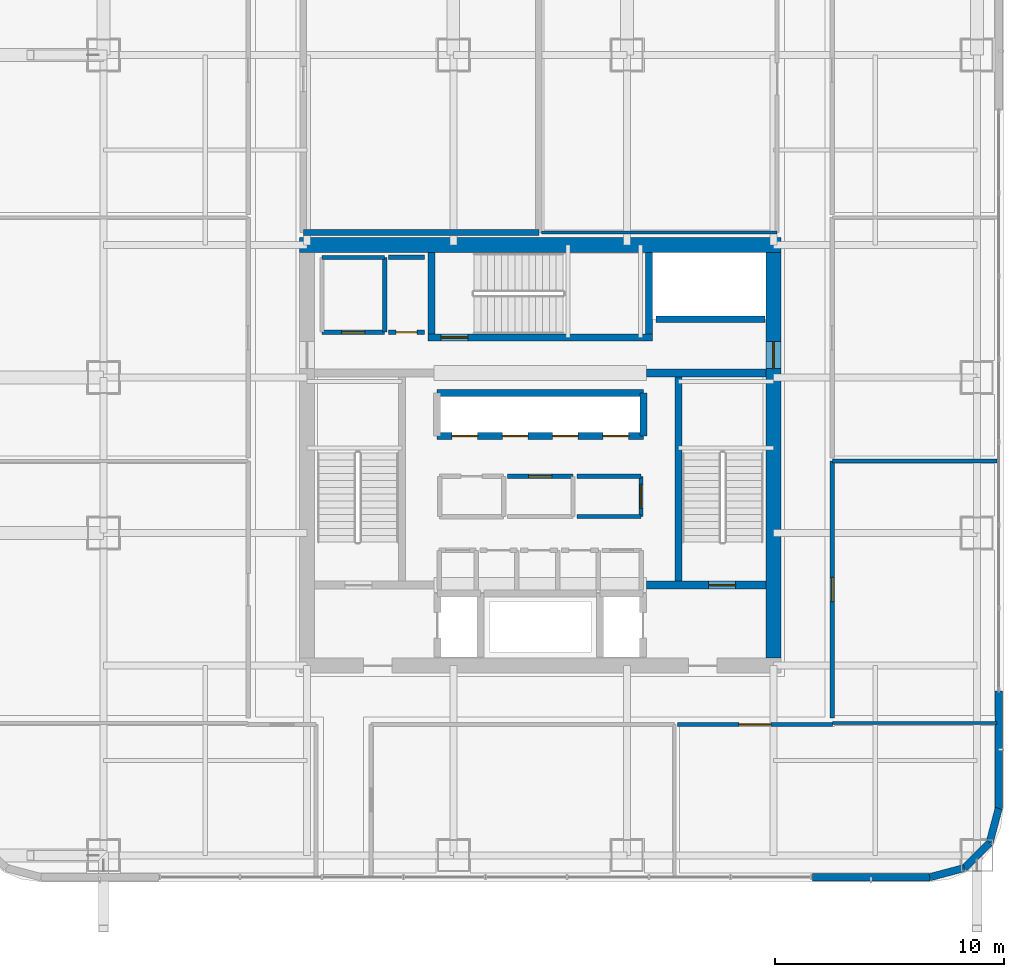
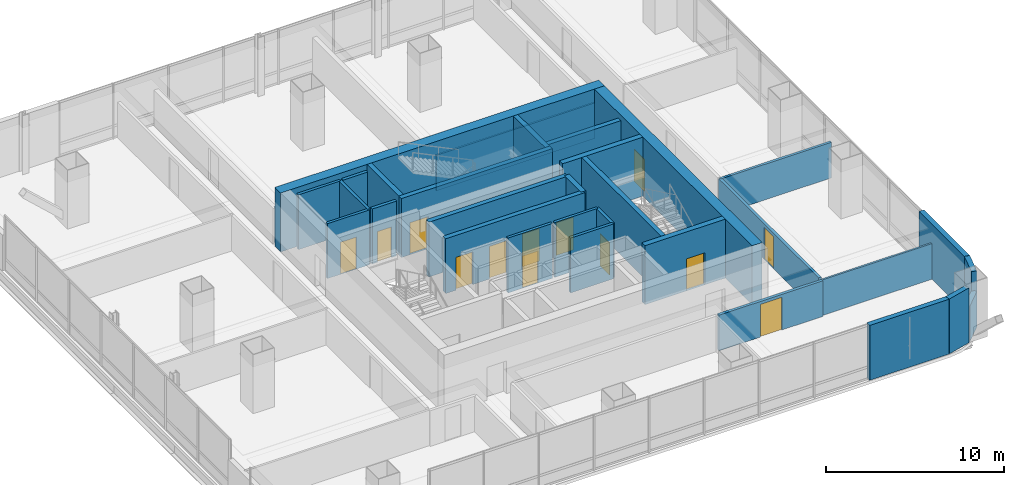
# One storey, part 34 of 47: 32 walls, 13 doors, 13 openings.
"""IFC4 building model written with IfcOpenShell, lengths in metres."""

from ifc_helpers import new_model, si_unit, direction, frame, frame_2d, origin, place, context, subcontext, project, spatial, rectangle, extrude, material, layer, layer_set, type_object, element, fill, save


model = new_model("IFC4")

# Units and contexts
model_context = context("Model", 3, precision=1e-05, world=origin(), true_north=direction((0.0, 1.0)))
body_context = subcontext(model_context, "Body", "Model", "MODEL_VIEW")
ifc_project = project(units=[si_unit("LENGTHUNIT", "METRE"), si_unit("AREAUNIT", "SQUARE_METRE"), si_unit("VOLUMEUNIT", "CUBIC_METRE"), si_unit("PLANEANGLEUNIT", "RADIAN"), si_unit("MASSUNIT", "GRAM", prefix="KILO")], contexts=[model_context])

# Site, building, storey
site_placement = place(None, origin())
site = spatial("IfcSite", under=ifc_project, at=site_placement, CompositionType="ELEMENT")
building_placement = place(site_placement, origin())
building = spatial("IfcBuilding", under=site, at=building_placement, Name="Punatoya Terracotta Tower", CompositionType="ELEMENT")
storey_placement = place(building_placement, frame((0.0, 0.0, 168.14990234375)))
storey = spatial("IfcBuildingStorey", under=building, at=storey_placement, Name="L39", CompositionType="ELEMENT", Elevation=168.14990234375)

# Walls
ifc_material_1 = material(Name="Concrete C40/50", Category="concrete")
ifc_layer_1 = layer(ifc_material_1, 0.280029296875)
ifc_layer_set_1 = layer_set([ifc_layer_1], Name="Concrete C40/50")
wall_type_1 = type_object("IfcWallType", Name="WL-AUD-280", PredefinedType="SOLIDWALL", material=ifc_layer_set_1)
wall_1_placement = place(storey_placement, frame((-0.06005859375, 9.739990234375, 0.0), z_axis=(0.0, 0.0, 1.0), x_axis=(-1.0, 0.0, 0.0)))
element("IfcWall", 1, at=wall_1_placement, inside=storey, type_object=wall_type_1, Name="L39 Open-Plan Fitness Movement Lounge Partition 45", PredefinedType="SOLIDWALL", context=body_context, shape_type="SweptSolid", body=[
    extrude(rectangle(XDim=10.300048828125, YDim=0.280029296875, at=frame_2d((5.14990234375, 0.0))), origin(), (0.0, 0.0, 1.0), 2.444091796875),
])
ifc_material_2 = material(Name="Concrete C60/75", Category="concrete")
ifc_layer_2 = layer(ifc_material_2, 0.64990234375)
ifc_layer_set_2 = layer_set([ifc_layer_2], Name="Concrete C60/75")
wall_type_2 = type_object("IfcWallType", Name="WL-COR-650", PredefinedType="SHEAR", material=ifc_layer_set_2)
wall_2_placement = place(storey_placement, frame((-10.52490234375, 9.199951171875, 0.0), z_axis=(0.0, 0.0, 1.0), x_axis=(1.0, 0.0, 0.0)))
element("IfcWall", 2, at=wall_2_placement, inside=storey, type_object=wall_type_2, Name="L39 Core Shear Wall N", PredefinedType="SHEAR", context=body_context, shape_type="SweptSolid", body=[
    extrude(rectangle(XDim=21.0498046875, YDim=0.64990234375, at=frame_2d((10.52490234375, 0.0))), origin(), (0.0, 0.0, 1.0), 4.050048828125),
])

# Wall, opening, door
wall_3_placement = place(storey_placement, frame((10.199951171875, 8.875, 0.0), z_axis=(0.0, 0.0, 1.0), x_axis=(0.0, -1.0, 0.0)))
wall_3 = element("IfcWall", 3, at=wall_3_placement, inside=storey, type_object=wall_type_2, Name="L39 Core Shear Wall E", PredefinedType="SHEAR", context=body_context, shape_type="SweptSolid", body=[
    extrude(rectangle(XDim=17.75, YDim=0.64990234375, at=frame_2d((8.875, 0.0))), origin(), (0.0, 0.0, 1.0), 4.050048828125),
])
opening_1_placement = place(wall_3_placement, frame((3.905029296875, 0.0, 0.0)))
opening_1 = element("IfcOpeningElement", 4, at=opening_1_placement, cuts=wall_3, Name="Opening SD-01", PredefinedType="OPENING", context=body_context, shape_type="SweptSolid", body=[
    extrude(rectangle(XDim=1.179931640625, YDim=2.199951171875, at=frame_2d((0.58984375, 1.10009765625))), frame((0.0, 0.3349609375, 0.0), z_axis=(0.0, -1.0, 0.0), x_axis=(1.0, 0.0, 0.0)), (0.0, 0.0, 1.0), 0.669921875),
])
ifc_material_3 = material(Name="Galvanised Steel Pressurized Stair Fire Door", Category="steel")
door_type_1 = type_object("IfcDoorType", Name="DR-STR-1180", OperationType="NOTDEFINED", PredefinedType="DOOR", material=ifc_material_3)
door_1_placement = place(opening_1_placement, origin())
door_1 = element("IfcDoor", 5, at=door_1_placement, inside=storey, type_object=door_type_1, Name="L39 Central Lift Lobby East Fire Door", OperationType="SINGLE_SWING_RIGHT", OverallHeight=2.199951171875, OverallWidth=1.179931640625, PredefinedType="DOOR", context=body_context, shape_type="SweptSolid", body=[
    extrude(rectangle(XDim=1.179931640625, YDim=2.199951171875, at=frame_2d((0.58984375, 1.10009765625))), frame((0.0, 0.02490234375, 0.0), z_axis=(0.0, -1.0, 0.0), x_axis=(1.0, 0.0, 0.0)), (0.0, 0.0, 1.0), 0.050048828125),
])
fill(opening_1, door_1)

ifc_material_4 = material(Name="Gypsum Fireboard + Steel Stud", Category="steel")
ifc_layer_3 = layer(ifc_material_4, 0.179931640625)
ifc_layer_set_3 = layer_set([ifc_layer_3], Name="Gypsum Fireboard + Steel Stud")
wall_type_3 = type_object("IfcWallType", Name="WL-CORR-180", PredefinedType="PARTITIONING", material=ifc_layer_set_3)
wall_4_placement = place(storey_placement, frame((1.43994140625, -0.919921875, 0.0), z_axis=(0.0, 0.0, 1.0), x_axis=(-1.0, 0.0, 0.0)))
wall_4 = element("IfcWall", 6, at=wall_4_placement, inside=storey, type_object=wall_type_3, Name="L39 Center Core Briefing Pod Partition 17", PredefinedType="PARTITIONING", context=body_context, shape_type="SweptSolid", body=[
    extrude(rectangle(XDim=2.8798828125, YDim=0.179931640625, at=frame_2d((1.43994140625, 0.0))), origin(), (0.0, 0.0, 1.0), 3.77001953125),
])
opening_2_placement = place(wall_4_placement, frame((0.929931640625, 0.0, 0.0)))
opening_2 = element("IfcOpeningElement", 7, at=opening_2_placement, cuts=wall_4, Name="Opening MD-01", PredefinedType="OPENING", context=body_context, shape_type="SweptSolid", body=[
    extrude(rectangle(XDim=1.02001953125, YDim=2.199951171875, at=frame_2d((0.510009765625, 1.10009765625))), frame((0.0, 0.099853515625, 0.0), z_axis=(0.0, -1.0, 0.0), x_axis=(1.0, 0.0, 0.0)), (0.0, 0.0, 1.0), 0.199951171875),
])
ifc_material_5 = material(Name="Aluminium + Acoustic Glass Leaf", Category="aluminium")
door_type_2 = type_object("IfcDoorType", Name="DR-MTG-1020", OperationType="NOTDEFINED", PredefinedType="DOOR", material=ifc_material_5)
door_2_placement = place(opening_2_placement, origin())
door_2 = element("IfcDoor", 8, at=door_2_placement, inside=storey, type_object=door_type_2, Name="L39 Center Briefing Pod Door", OperationType="SINGLE_SWING_RIGHT", OverallHeight=2.199951171875, OverallWidth=1.02001953125, PredefinedType="DOOR", context=body_context, shape_type="SweptSolid", body=[
    extrude(rectangle(XDim=1.02001953125, YDim=2.199951171875, at=frame_2d((0.510009765625, 1.10009765625))), frame((0.0, 0.02490234375, 0.0), z_axis=(0.0, -1.0, 0.0), x_axis=(1.0, 0.0, 0.0)), (0.0, 0.0, 1.0), 0.050048828125),
])
fill(opening_2, door_2)

wall_5_placement = place(storey_placement, frame((4.39990234375, -2.679931640625, 0.0), z_axis=(0.0, 0.0, 1.0), x_axis=(0.0, 1.0, 0.0)))
wall_5 = element("IfcWall", 9, at=wall_5_placement, inside=storey, type_object=wall_type_3, Name="L39 Right Core Copy Room Partition 19", PredefinedType="PARTITIONING", context=body_context, shape_type="SweptSolid", body=[
    extrude(rectangle(XDim=1.760009765625, YDim=0.179931640625, at=frame_2d((0.8798828125, 0.0))), origin(), (0.0, 0.0, 1.0), 3.77001953125),
])
opening_3_placement = place(wall_5_placement, frame((0.35498046875, 0.0, 0.0)))
opening_3 = element("IfcOpeningElement", 10, at=opening_3_placement, cuts=wall_5, Name="Opening OD-01", PredefinedType="OPENING", context=body_context, shape_type="SweptSolid", body=[
    extrude(rectangle(XDim=1.050048828125, YDim=2.199951171875, at=frame_2d((0.52490234375, 1.10009765625))), frame((0.0, 0.099853515625, 0.0), z_axis=(0.0, -1.0, 0.0), x_axis=(1.0, 0.0, 0.0)), (0.0, 0.0, 1.0), 0.199951171875),
])
ifc_material_6 = material(Name="Bengal Teak Solid-Core Leaf")
door_type_3 = type_object("IfcDoorType", Name="DR-OFF-1050", OperationType="NOTDEFINED", PredefinedType="DOOR", material=ifc_material_6)
door_3_placement = place(opening_3_placement, origin())
door_3 = element("IfcDoor", 11, at=door_3_placement, inside=storey, type_object=door_type_3, Name="L39 Right Copy Room Door", OperationType="SINGLE_SWING_LEFT", OverallHeight=2.199951171875, OverallWidth=1.050048828125, PredefinedType="DOOR", context=body_context, shape_type="SweptSolid", body=[
    extrude(rectangle(XDim=1.050048828125, YDim=2.199951171875, at=frame_2d((0.52490234375, 1.10009765625))), frame((0.0, 0.02490234375, 0.0), z_axis=(0.0, -1.0, 0.0), x_axis=(1.0, 0.0, 0.0)), (0.0, 0.0, 1.0), 0.050048828125),
])
fill(opening_3, door_3)

# Walls
for number, where, z_axis, x_axis, name in (
    (12, (4.39990234375, -0.919921875, 0.0), (0.0, 0.0, 1.0), (-1.0, 0.0, 0.0), "L39 Right Core Copy Room Partition 20"),
    (13, (1.60009765625, -2.679931640625, 0.0), (0.0, 0.0, 1.0), (1.0, 0.0, 0.0), "L39 Right Core Copy Room Partition 21"),
):
    element("IfcWall", number, at=place(storey_placement, frame(where, z_axis=z_axis, x_axis=x_axis)), inside=storey, type_object=wall_type_3, Name=name, PredefinedType="PARTITIONING", context=body_context, shape_type="SweptSolid", body=[
        extrude(rectangle(XDim=2.7998046875, YDim=0.179931640625, at=frame_2d((1.39990234375, 0.0))), origin(), (0.0, 0.0, 1.0), 3.77001953125),
    ])
wall_6_placement = place(storey_placement, frame((-6.800048828125, 5.3798828125, 0.0), z_axis=(0.0, 0.0, 1.0), x_axis=(0.0, 1.0, 0.0)))
element("IfcWall", 14, at=wall_6_placement, inside=storey, type_object=wall_type_3, Name="L39 West Core Briefing Pod Partition 22", PredefinedType="PARTITIONING", context=body_context, shape_type="SweptSolid", body=[
    extrude(rectangle(XDim=3.27001953125, YDim=0.179931640625, at=frame_2d((1.635009765625, 0.0))), origin(), (0.0, 0.0, 1.0), 3.77001953125),
])
wall_7_placement = place(storey_placement, frame((-6.800048828125, 8.64990234375, 0.0), z_axis=(0.0, 0.0, 1.0), x_axis=(-1.0, 0.0, 0.0)))
element("IfcWall", 15, at=wall_7_placement, inside=storey, type_object=wall_type_3, Name="L39 West Core Briefing Pod Partition 23", PredefinedType="PARTITIONING", context=body_context, shape_type="SweptSolid", body=[
    extrude(rectangle(XDim=2.75, YDim=0.179931640625, at=frame_2d((1.375, 0.0))), origin(), (0.0, 0.0, 1.0), 3.77001953125),
])

# Wall, opening, door
wall_8_placement = place(storey_placement, frame((-9.550048828125, 5.3798828125, 0.0), z_axis=(0.0, 0.0, 1.0), x_axis=(1.0, 0.0, 0.0)))
wall_8 = element("IfcWall", 16, at=wall_8_placement, inside=storey, type_object=wall_type_3, Name="L39 West Core Briefing Pod Partition 25", PredefinedType="PARTITIONING", context=body_context, shape_type="SweptSolid", body=[
    extrude(rectangle(XDim=2.75, YDim=0.179931640625, at=frame_2d((1.375, 0.0))), origin(), (0.0, 0.0, 1.0), 3.77001953125),
])
opening_4_placement = place(wall_8_placement, frame((0.864990234375, 0.0, 0.0)))
opening_4 = element("IfcOpeningElement", 17, at=opening_4_placement, cuts=wall_8, Name="Opening MD-01", PredefinedType="OPENING", context=body_context, shape_type="SweptSolid", body=[
    extrude(rectangle(XDim=1.02001953125, YDim=2.199951171875, at=frame_2d((0.510009765625, 1.10009765625))), frame((0.0, 0.099853515625, 0.0), z_axis=(0.0, -1.0, 0.0), x_axis=(1.0, 0.0, 0.0)), (0.0, 0.0, 1.0), 0.199951171875),
])
door_4_placement = place(opening_4_placement, origin())
door_4 = element("IfcDoor", 18, at=door_4_placement, inside=storey, type_object=door_type_2, Name="L39 West Briefing Pod Door", OperationType="SINGLE_SWING_RIGHT", OverallHeight=2.199951171875, OverallWidth=1.02001953125, PredefinedType="DOOR", context=body_context, shape_type="SweptSolid", body=[
    extrude(rectangle(XDim=1.02001953125, YDim=2.199951171875, at=frame_2d((0.510009765625, 1.10009765625))), frame((0.0, 0.02490234375, 0.0), z_axis=(0.0, -1.0, 0.0), x_axis=(1.0, 0.0, 0.0)), (0.0, 0.0, 1.0), 0.050048828125),
])
fill(opening_4, door_4)

wall_9_placement = place(storey_placement, frame((5.993896484375, -11.77001953125, 0.0), z_axis=(0.0, 0.0, 1.0), x_axis=(1.0, 0.0, 0.0)))
wall_9 = element("IfcWall", 19, at=wall_9_placement, inside=storey, type_object=wall_type_3, Name="L39 Open-Plan Cultural History Classroom Partition 34", PredefinedType="PARTITIONING", context=body_context, shape_type="SweptSolid", body=[
    extrude(rectangle(XDim=6.776123046875, YDim=0.179931640625, at=frame_2d((3.38818359375, 0.0))), origin(), (0.0, 0.0, 1.0), 2.444091796875),
])
opening_5_placement = place(wall_9_placement, frame((2.68798828125, 0.0, 0.0)))
opening_5 = element("IfcOpeningElement", 20, at=opening_5_placement, cuts=wall_9, Name="Opening BD-01", PredefinedType="OPENING", context=body_context, shape_type="SweptSolid", body=[
    extrude(rectangle(XDim=1.39990234375, YDim=2.25, at=frame_2d((0.699951171875, 1.125))), frame((0.0, 0.099853515625, 0.0), z_axis=(0.0, -1.0, 0.0), x_axis=(1.0, 0.0, 0.0)), (0.0, 0.0, 1.0), 0.199951171875),
])
ifc_material_7 = material(Name="Bengal Teak Acoustic Leaf")
door_type_4 = type_object("IfcDoorType", Name="DR-BRD-1400", OperationType="NOTDEFINED", PredefinedType="DOOR", material=ifc_material_7)
door_5_placement = place(opening_5_placement, origin())
door_5 = element("IfcDoor", 21, at=door_5_placement, inside=storey, type_object=door_type_4, Name="L39 Open-Plan Cultural History Classroom Door", OperationType="SINGLE_SWING_RIGHT", OverallHeight=2.25, OverallWidth=1.39990234375, PredefinedType="DOOR", context=body_context, shape_type="SweptSolid", body=[
    extrude(rectangle(XDim=1.39990234375, YDim=2.25, at=frame_2d((0.699951171875, 1.125))), frame((0.0, 0.02490234375, 0.0), z_axis=(0.0, -1.0, 0.0), x_axis=(1.0, 0.0, 0.0)), (0.0, 0.0, 1.0), 0.050048828125),
])
fill(opening_5, door_5)

wall_10_placement = place(storey_placement, frame((12.77001953125, -11.489990234375, 0.0), z_axis=(0.0, 0.0, 1.0), x_axis=(0.0, 1.0, 0.0)))
wall_10 = element("IfcWall", 22, at=wall_10_placement, inside=storey, type_object=wall_type_3, Name="L39 Open-Plan Nutrition Tea Pantry Partition 38", PredefinedType="PARTITIONING", context=body_context, shape_type="SweptSolid", body=[
    extrude(rectangle(XDim=11.239990234375, YDim=0.179931640625, at=frame_2d((5.6201171875, 0.0))), origin(), (0.0, 0.0, 1.0), 2.444091796875),
])
opening_6_placement = place(wall_10_placement, frame((5.094970703125, 0.0, 0.0)))
opening_6 = element("IfcOpeningElement", 23, at=opening_6_placement, cuts=wall_10, Name="Opening OD-01", PredefinedType="OPENING", context=body_context, shape_type="SweptSolid", body=[
    extrude(rectangle(XDim=1.050048828125, YDim=2.199951171875, at=frame_2d((0.52490234375, 1.10009765625))), frame((0.0, 0.099853515625, 0.0), z_axis=(0.0, -1.0, 0.0), x_axis=(1.0, 0.0, 0.0)), (0.0, 0.0, 1.0), 0.199951171875),
])
door_6_placement = place(opening_6_placement, origin())
door_6 = element("IfcDoor", 24, at=door_6_placement, inside=storey, type_object=door_type_3, Name="L39 Open-Plan Nutrition Tea Pantry Door", OperationType="SINGLE_SWING_RIGHT", OverallHeight=2.199951171875, OverallWidth=1.050048828125, PredefinedType="DOOR", context=body_context, shape_type="SweptSolid", body=[
    extrude(rectangle(XDim=1.050048828125, YDim=2.199951171875, at=frame_2d((0.52490234375, 1.10009765625))), frame((0.0, 0.02490234375, 0.0), z_axis=(0.0, -1.0, 0.0), x_axis=(1.0, 0.0, 0.0)), (0.0, 0.0, 1.0), 0.050048828125),
])
fill(opening_6, door_6)

# Walls
ifc_material_8 = material(Name="Precast concrete C40/50", Category="concrete")
ifc_layer_4 = layer(ifc_material_8, 0.320068359375)
ifc_layer_set_4 = layer_set([ifc_layer_4], Name="Precast concrete C40/50")
wall_type_4 = type_object("IfcWallType", Name="WL-EXT-320", PredefinedType="SOLIDWALL", material=ifc_layer_set_4)
wall_11_placement = place(storey_placement, frame((11.89990234375, -18.449951171875, 0.0), z_axis=(0.0, 0.0, 1.0), x_axis=(1.0, 0.0, 0.0)))
element("IfcWall", 25, at=wall_11_placement, inside=storey, type_object=wall_type_4, Name="L39 Terracotta Braced Facade Wall S2", PredefinedType="SOLIDWALL", context=body_context, shape_type="SweptSolid", body=[
    extrude(rectangle(XDim=5.136962890625, YDim=0.320068359375, at=frame_2d((2.568359375, 0.0))), origin(), (0.0, 0.0, 1.0), 3.77001953125),
])
wall_12_placement = place(storey_placement, frame((17.036865234375, -18.449951171875, 0.0), z_axis=(0.0, 0.0, 1.0), x_axis=(0.966224582397, 0.257701486942, 0.0)))
element("IfcWall", 26, at=wall_12_placement, inside=storey, type_object=wall_type_4, Name="L39 Rounded Terracotta Corner Pier 02", PredefinedType="SOLIDWALL", context=body_context, shape_type="SweptSolid", body=[
    extrude(rectangle(XDim=1.565185546875, YDim=0.320068359375, at=frame_2d((0.78271484375, 0.0))), origin(), (0.0, 0.0, 1.0), 3.77001953125),
])
wall_13_placement = place(storey_placement, frame((18.549072265625, -18.046630859375, 0.0), z_axis=(0.0, 0.0, 1.0), x_axis=(0.707106781187, 0.707106781187, 0.0)))
element("IfcWall", 27, at=wall_13_placement, inside=storey, type_object=wall_type_4, Name="L39 Rounded Terracotta Corner Pier 03", PredefinedType="SOLIDWALL", context=body_context, shape_type="SweptSolid", body=[
    extrude(rectangle(XDim=1.552001953125, YDim=0.320068359375, at=frame_2d((0.77587890625, 0.0))), origin(), (0.0, 0.0, 1.0), 2.444091796875),
])
wall_14_placement = place(storey_placement, frame((19.646484375, -16.94921875, 0.0), z_axis=(0.0, 0.0, 1.0), x_axis=(0.257847112249, 0.966185730957, 0.0)))
element("IfcWall", 28, at=wall_14_placement, inside=storey, type_object=wall_type_4, Name="L39 Rounded Terracotta Corner Pier 04", PredefinedType="SOLIDWALL", context=body_context, shape_type="SweptSolid", body=[
    extrude(rectangle(XDim=1.565185546875, YDim=0.320068359375, at=frame_2d((0.78271484375, 0.0))), origin(), (0.0, 0.0, 1.0), 3.77001953125),
])
wall_15_placement = place(storey_placement, frame((20.050048828125, -15.43701171875, 0.0), z_axis=(0.0, 0.0, 1.0), x_axis=(0.0, 1.0, 0.0)))
element("IfcWall", 29, at=wall_15_placement, inside=storey, type_object=wall_type_4, Name="L39 Terracotta Braced Facade Wall E1", PredefinedType="SOLIDWALL", context=body_context, shape_type="SweptSolid", body=[
    extrude(rectangle(XDim=5.136962890625, YDim=0.320068359375, at=frame_2d((2.568359375, 0.0))), origin(), (0.0, 0.0, 1.0), 3.77001953125),
])
ifc_layer_5 = layer(ifc_material_1, 0.199951171875)
ifc_layer_set_5 = layer_set([ifc_layer_5], Name="Concrete C40/50")
wall_type_5 = type_object("IfcWallType", Name="WL-INT-200", PredefinedType="SOLIDWALL", material=ifc_layer_set_5)
wall_16_placement = place(storey_placement, frame((-5.050048828125, 8.64990234375, 0.0), z_axis=(0.0, 0.0, 1.0), x_axis=(-1.0, 0.0, 0.0)))
element("IfcWall", 30, at=wall_16_placement, inside=storey, type_object=wall_type_5, Name="L39 West Core Supply Store Partition 26", PredefinedType="SOLIDWALL", context=body_context, shape_type="SweptSolid", body=[
    extrude(rectangle(XDim=1.58984375, YDim=0.199951171875, at=frame_2d((0.794921875, 0.0))), origin(), (0.0, 0.0, 1.0), 3.77001953125),
])

# Wall, opening, door
wall_17_placement = place(storey_placement, frame((-6.639892578125, 5.3798828125, 0.0), z_axis=(0.0, 0.0, 1.0), x_axis=(1.0, 0.0, 0.0)))
wall_17 = element("IfcWall", 31, at=wall_17_placement, inside=storey, type_object=wall_type_5, Name="L39 West Core Supply Store Partition 27", PredefinedType="SOLIDWALL", context=body_context, shape_type="SweptSolid", body=[
    extrude(rectangle(XDim=1.58984375, YDim=0.199951171875, at=frame_2d((0.794921875, 0.0))), origin(), (0.0, 0.0, 1.0), 3.77001953125),
])
opening_7_placement = place(wall_17_placement, frame((0.3349609375, 0.0, 0.0)))
opening_7 = element("IfcOpeningElement", 32, at=opening_7_placement, cuts=wall_17, Name="Opening FD-R1", PredefinedType="OPENING", context=body_context, shape_type="SweptSolid", body=[
    extrude(rectangle(XDim=0.919921875, YDim=2.10009765625, at=frame_2d((0.4599609375, 1.050048828125))), frame((0.0, 0.10986328125, 0.0), z_axis=(0.0, -1.0, 0.0), x_axis=(1.0, 0.0, 0.0)), (0.0, 0.0, 1.0), 0.219970703125),
])
ifc_material_9 = material(Name="Galvanised Steel Riser Fire Access Door", Category="steel")
door_type_5 = type_object("IfcDoorType", Name="DR-RSR-920", OperationType="NOTDEFINED", PredefinedType="DOOR", material=ifc_material_9)
door_7_placement = place(opening_7_placement, origin())
door_7 = element("IfcDoor", 33, at=door_7_placement, inside=storey, type_object=door_type_5, Name="L39 West Core Supply Store Fire Door", OperationType="SINGLE_SWING_LEFT", OverallHeight=2.10009765625, OverallWidth=0.919921875, PredefinedType="DOOR", context=body_context, shape_type="SweptSolid", body=[
    extrude(rectangle(XDim=0.919921875, YDim=2.10009765625, at=frame_2d((0.4599609375, 1.050048828125))), frame((0.0, 0.02490234375, 0.0), z_axis=(0.0, -1.0, 0.0), x_axis=(1.0, 0.0, 0.0)), (0.0, 0.0, 1.0), 0.050048828125),
])
fill(opening_7, door_7)

# Walls
ifc_material_10 = material(Name="Gypsum Partition + Steel Stud", Category="steel")
ifc_layer_6 = layer(ifc_material_10, 0.1201171875)
ifc_layer_set_6 = layer_set([ifc_layer_6], Name="Gypsum Partition + Steel Stud")
wall_type_6 = type_object("IfcWallType", Name="WL-OFF-120", PredefinedType="PARTITIONING", material=ifc_layer_set_6)
wall_18_placement = place(storey_placement, frame((12.77001953125, -11.7099609375, 0.0), z_axis=(0.0, 0.0, 1.0), x_axis=(1.0, 0.0, 0.0)))
element("IfcWall", 34, at=wall_18_placement, inside=storey, type_object=wall_type_6, Name="L39 Open-Plan Cultural History Classroom Partition 35", PredefinedType="PARTITIONING", context=body_context, shape_type="SweptSolid", body=[
    extrude(rectangle(XDim=7.199951171875, YDim=0.1201171875, at=frame_2d((3.60009765625, 0.0))), origin(), (0.0, 0.0, 1.0), 2.444091796875),
])
wall_19_placement = place(storey_placement, frame((10.360107421875, 9.739990234375, 0.0), z_axis=(0.0, 0.0, 1.0), x_axis=(-1.0, 0.0, 0.0)))
element("IfcWall", 35, at=wall_19_placement, inside=storey, type_object=wall_type_6, Name="L39 Open-Plan Seminar Discussion Room Partition 47", PredefinedType="PARTITIONING", context=body_context, shape_type="SweptSolid", body=[
    extrude(rectangle(XDim=10.300048828125, YDim=0.1201171875, at=frame_2d((5.14990234375, 0.0))), origin(), (0.0, 0.0, 1.0), 2.444091796875),
])
ifc_layer_7 = layer(ifc_material_1, 0.300048828125)
ifc_layer_set_7 = layer_set([ifc_layer_7], Name="Concrete C40/50")
wall_type_7 = type_object("IfcWallType", Name="WL-SHF-300", PredefinedType="SOLIDWALL", material=ifc_layer_set_7)
wall_20_placement = place(storey_placement, frame((6.050048828125, 3.449951171875, 0.0), z_axis=(0.0, 0.0, 1.0), x_axis=(0.0, -1.0, 0.0)))
element("IfcWall", 36, at=wall_20_placement, inside=storey, type_object=wall_type_7, Name="L39 Structural Stair Shaft Wall SW-ST2-W", PredefinedType="SOLIDWALL", context=body_context, shape_type="SweptSolid", body=[
    extrude(rectangle(XDim=8.949951171875, YDim=0.300048828125, at=frame_2d((4.47509765625, 0.0))), origin(), (0.0, 0.0, 1.0), 4.050048828125),
])
for number, where, z_axis, x_axis, name in (
    (37, (-4.75, 5.300048828125, 0.0), (0.0, 0.0, 1.0), (0.0, 1.0, 0.0), "L39 Structural Stair Shaft Wall SW-ST3-W"),
    (38, (4.75, 8.875, 0.0), (0.0, 0.0, 1.0), (0.0, -1.0, 0.0), "L39 Structural Stair Shaft Wall SW-ST3-E"),
):
    element("IfcWall", number, at=place(storey_placement, frame(where, z_axis=z_axis, x_axis=x_axis)), inside=storey, type_object=wall_type_7, Name=name, PredefinedType="SOLIDWALL", context=body_context, shape_type="SweptSolid", body=[
        extrude(rectangle(XDim=3.574951171875, YDim=0.300048828125, at=frame_2d((1.78759765625, 0.0))), origin(), (0.0, 0.0, 1.0), 4.050048828125),
    ])

# Wall, opening, door
wall_21_placement = place(storey_placement, frame((-4.89990234375, 5.14990234375, 0.0), z_axis=(0.0, 0.0, 1.0), x_axis=(1.0, 0.0, 0.0)))
wall_21 = element("IfcWall", 39, at=wall_21_placement, inside=storey, type_object=wall_type_7, Name="L39 Structural Stair Shaft Wall SW-ST3-S", PredefinedType="SOLIDWALL", context=body_context, shape_type="SweptSolid", body=[
    extrude(rectangle(XDim=9.7998046875, YDim=0.300048828125, at=frame_2d((4.89990234375, 0.0))), origin(), (0.0, 0.0, 1.0), 4.050048828125),
])
opening_8_placement = place(wall_21_placement, frame((0.56005859375, 0.0, 0.0)))
opening_8 = element("IfcOpeningElement", 40, at=opening_8_placement, cuts=wall_21, Name="Opening SD-01", PredefinedType="OPENING", context=body_context, shape_type="SweptSolid", body=[
    extrude(rectangle(XDim=1.179931640625, YDim=2.199951171875, at=frame_2d((0.58984375, 1.10009765625))), frame((0.0, 0.159912109375, 0.0), z_axis=(0.0, -1.0, 0.0), x_axis=(1.0, 0.0, 0.0)), (0.0, 0.0, 1.0), 0.320068359375),
])
door_8_placement = place(opening_8_placement, origin())
door_8 = element("IfcDoor", 41, at=door_8_placement, inside=storey, type_object=door_type_1, Name="L39 Stair ST-3 Core Lobby Fire Door", OperationType="SINGLE_SWING_LEFT", OverallHeight=2.199951171875, OverallWidth=1.179931640625, PredefinedType="DOOR", context=body_context, shape_type="SweptSolid", body=[
    extrude(rectangle(XDim=1.179931640625, YDim=2.199951171875, at=frame_2d((0.58984375, 1.10009765625))), frame((0.0, 0.02490234375, 0.0), z_axis=(0.0, -1.0, 0.0), x_axis=(1.0, 0.0, 0.0)), (0.0, 0.0, 1.0), 0.050048828125),
])
fill(opening_8, door_8)

# Wall, openings, doors
wall_22_placement = place(storey_placement, frame((-4.52001953125, 0.840087890625, 0.0), z_axis=(0.0, 0.0, 1.0), x_axis=(1.0, 0.0, 0.0)))
wall_22 = element("IfcWall", 42, at=wall_22_placement, inside=storey, type_object=wall_type_7, Name="L39 North Lift Bank Front Shaft Wall", PredefinedType="SOLIDWALL", context=body_context, shape_type="SweptSolid", body=[
    extrude(rectangle(XDim=9.0400390625, YDim=0.300048828125, at=frame_2d((4.52001953125, 0.0))), origin(), (0.0, 0.0, 1.0), 3.77001953125),
])
opening_9_placement = place(wall_22_placement, frame((0.659912109375, 0.0, 0.0)))
opening_9 = element("IfcOpeningElement", 43, at=opening_9_placement, cuts=wall_22, Name="Opening LD-02", PredefinedType="OPENING", context=body_context, shape_type="SweptSolid", body=[
    extrude(rectangle(XDim=1.1201171875, YDim=2.25, at=frame_2d((0.56005859375, 1.125))), frame((0.0, 0.159912109375, 0.0), z_axis=(0.0, -1.0, 0.0), x_axis=(1.0, 0.0, 0.0)), (0.0, 0.0, 1.0), 0.320068359375),
])
opening_10_placement = place(wall_22_placement, frame((2.860107421875, 0.0, 0.0)))
opening_10 = element("IfcOpeningElement", 44, at=opening_10_placement, cuts=wall_22, Name="Opening LD-02", PredefinedType="OPENING", context=body_context, shape_type="SweptSolid", body=[
    extrude(rectangle(XDim=1.1201171875, YDim=2.25, at=frame_2d((0.56005859375, 1.125))), frame((0.0, 0.159912109375, 0.0), z_axis=(0.0, -1.0, 0.0), x_axis=(1.0, 0.0, 0.0)), (0.0, 0.0, 1.0), 0.320068359375),
])
opening_11_placement = place(wall_22_placement, frame((5.06005859375, 0.0, 0.0)))
opening_11 = element("IfcOpeningElement", 45, at=opening_11_placement, cuts=wall_22, Name="Opening LD-02", PredefinedType="OPENING", context=body_context, shape_type="SweptSolid", body=[
    extrude(rectangle(XDim=1.1201171875, YDim=2.25, at=frame_2d((0.56005859375, 1.125))), frame((0.0, 0.159912109375, 0.0), z_axis=(0.0, -1.0, 0.0), x_axis=(1.0, 0.0, 0.0)), (0.0, 0.0, 1.0), 0.320068359375),
])
opening_12_placement = place(wall_22_placement, frame((7.260009765625, 0.0, 0.0)))
opening_12 = element("IfcOpeningElement", 46, at=opening_12_placement, cuts=wall_22, Name="Opening LD-02", PredefinedType="OPENING", context=body_context, shape_type="SweptSolid", body=[
    extrude(rectangle(XDim=1.1201171875, YDim=2.25, at=frame_2d((0.56005859375, 1.125))), frame((0.0, 0.159912109375, 0.0), z_axis=(0.0, -1.0, 0.0), x_axis=(1.0, 0.0, 0.0)), (0.0, 0.0, 1.0), 0.320068359375),
])
ifc_material_11 = material(Name="Stainless Steel Lift Landing Door", Category="steel")
door_type_6 = type_object("IfcDoorType", Name="DR-LND-1120", OperationType="NOTDEFINED", PredefinedType="DOOR", material=ifc_material_11)
door_9_placement = place(opening_9_placement, origin())
door_9 = element("IfcDoor", 47, at=door_9_placement, inside=storey, type_object=door_type_6, Name="L39 Lift PL-M1 Sliding Landing Door", OperationType="DOUBLE_DOOR_SLIDING", OverallHeight=2.25, OverallWidth=1.1201171875, PredefinedType="DOOR", context=body_context, shape_type="SweptSolid", body=[
    extrude(rectangle(XDim=1.1201171875, YDim=2.25, at=frame_2d((0.56005859375, 1.125))), frame((0.0, 0.02490234375, 0.0), z_axis=(0.0, -1.0, 0.0), x_axis=(1.0, 0.0, 0.0)), (0.0, 0.0, 1.0), 0.050048828125),
])
fill(opening_9, door_9)
door_10_placement = place(opening_10_placement, origin())
door_10 = element("IfcDoor", 48, at=door_10_placement, inside=storey, type_object=door_type_6, Name="L39 Lift PL-M2 Sliding Landing Door", OperationType="DOUBLE_DOOR_SLIDING", OverallHeight=2.25, OverallWidth=1.1201171875, PredefinedType="DOOR", context=body_context, shape_type="SweptSolid", body=[
    extrude(rectangle(XDim=1.1201171875, YDim=2.25, at=frame_2d((0.56005859375, 1.125))), frame((0.0, 0.02490234375, 0.0), z_axis=(0.0, -1.0, 0.0), x_axis=(1.0, 0.0, 0.0)), (0.0, 0.0, 1.0), 0.050048828125),
])
fill(opening_10, door_10)
door_11_placement = place(opening_11_placement, origin())
door_11 = element("IfcDoor", 49, at=door_11_placement, inside=storey, type_object=door_type_6, Name="L39 Lift PL-M3 Sliding Landing Door", OperationType="DOUBLE_DOOR_SLIDING", OverallHeight=2.25, OverallWidth=1.1201171875, PredefinedType="DOOR", context=body_context, shape_type="SweptSolid", body=[
    extrude(rectangle(XDim=1.1201171875, YDim=2.25, at=frame_2d((0.56005859375, 1.125))), frame((0.0, 0.02490234375, 0.0), z_axis=(0.0, -1.0, 0.0), x_axis=(1.0, 0.0, 0.0)), (0.0, 0.0, 1.0), 0.050048828125),
])
fill(opening_11, door_11)
door_12_placement = place(opening_12_placement, origin())
door_12 = element("IfcDoor", 50, at=door_12_placement, inside=storey, type_object=door_type_6, Name="L39 Lift PL-M4 Sliding Landing Door", OperationType="DOUBLE_DOOR_SLIDING", OverallHeight=2.25, OverallWidth=1.1201171875, PredefinedType="DOOR", context=body_context, shape_type="SweptSolid", body=[
    extrude(rectangle(XDim=1.1201171875, YDim=2.25, at=frame_2d((0.56005859375, 1.125))), frame((0.0, 0.02490234375, 0.0), z_axis=(0.0, -1.0, 0.0), x_axis=(1.0, 0.0, 0.0)), (0.0, 0.0, 1.0), 0.050048828125),
])
fill(opening_12, door_12)

# Walls
wall_23_placement = place(storey_placement, frame((-4.52001953125, 2.719970703125, 0.0), z_axis=(0.0, 0.0, 1.0), x_axis=(1.0, 0.0, 0.0)))
element("IfcWall", 51, at=wall_23_placement, inside=storey, type_object=wall_type_7, Name="L39 North Lift Bank Rear Shaft Wall", PredefinedType="SOLIDWALL", context=body_context, shape_type="SweptSolid", body=[
    extrude(rectangle(XDim=9.0400390625, YDim=0.300048828125, at=frame_2d((4.52001953125, 0.0))), origin(), (0.0, 0.0, 1.0), 3.77001953125),
])
wall_24_placement = place(storey_placement, frame((4.52001953125, 0.840087890625, 0.0), z_axis=(0.0, 0.0, 1.0), x_axis=(0.0, 1.0, 0.0)))
element("IfcWall", 52, at=wall_24_placement, inside=storey, type_object=wall_type_7, Name="L39 North Lift Bank East End Wall", PredefinedType="SOLIDWALL", context=body_context, shape_type="SweptSolid", body=[
    extrude(rectangle(XDim=1.8798828125, YDim=0.300048828125, at=frame_2d((0.93994140625, 0.0))), origin(), (0.0, 0.0, 1.0), 3.77001953125),
])
wall_25_placement = place(storey_placement, frame((5.06005859375, 5.949951171875, 0.0), z_axis=(0.0, 0.0, 1.0), x_axis=(1.0, 0.0, 0.0)))
element("IfcWall", 53, at=wall_25_placement, inside=storey, type_object=wall_type_7, Name="L39 Shuttle SL-2 South Hoistway Wall", PredefinedType="SOLIDWALL", context=body_context, shape_type="SweptSolid", body=[
    extrude(rectangle(XDim=4.760009765625, YDim=0.300048828125, at=frame_2d((2.3798828125, 0.0))), origin(), (0.0, 0.0, 1.0), 3.77001953125),
])

# Wall, opening, door
ifc_material_12 = material(Name="Concrete C50/60", Category="concrete")
ifc_layer_8 = layer(ifc_material_12, 0.35009765625)
ifc_layer_set_8 = layer_set([ifc_layer_8], Name="Concrete C50/60")
wall_type_8 = type_object("IfcWallType", Name="WL-SHF-350", PredefinedType="SOLIDWALL", material=ifc_layer_set_8)
wall_26_placement = place(storey_placement, frame((4.64990234375, -5.679931640625, 0.0), z_axis=(0.0, 0.0, 1.0), x_axis=(1.0, 0.0, 0.0)))
wall_26 = element("IfcWall", 54, at=wall_26_placement, inside=storey, type_object=wall_type_8, Name="L39 Core Web Wall CSW-R", PredefinedType="SOLIDWALL", context=body_context, shape_type="SweptSolid", body=[
    extrude(rectangle(XDim=5.22509765625, YDim=0.35009765625, at=frame_2d((2.612548828125, 0.0))), origin(), (0.0, 0.0, 1.0), 4.050048828125),
])
opening_13_placement = place(wall_26_placement, frame((2.7099609375, 0.0, 0.0)))
opening_13 = element("IfcOpeningElement", 55, at=opening_13_placement, cuts=wall_26, Name="Opening SD-01", PredefinedType="OPENING", context=body_context, shape_type="SweptSolid", body=[
    extrude(rectangle(XDim=1.179931640625, YDim=2.199951171875, at=frame_2d((0.58984375, 1.10009765625))), frame((0.0, 0.18505859375, 0.0), z_axis=(0.0, -1.0, 0.0), x_axis=(1.0, 0.0, 0.0)), (0.0, 0.0, 1.0), 0.3701171875),
])
door_13_placement = place(opening_13_placement, origin())
door_13 = element("IfcDoor", 56, at=door_13_placement, inside=storey, type_object=door_type_1, Name="L39 Stair ST-2 Smokeproof Lobby Fire Door", OperationType="SINGLE_SWING_RIGHT", OverallHeight=2.199951171875, OverallWidth=1.179931640625, PredefinedType="DOOR", context=body_context, shape_type="SweptSolid", body=[
    extrude(rectangle(XDim=1.179931640625, YDim=2.199951171875, at=frame_2d((0.58984375, 1.10009765625))), frame((0.0, 0.02490234375, 0.0), z_axis=(0.0, -1.0, 0.0), x_axis=(1.0, 0.0, 0.0)), (0.0, 0.0, 1.0), 0.050048828125),
])
fill(opening_13, door_13)

# Walls
wall_27_placement = place(storey_placement, frame((4.64990234375, 3.60009765625, 0.0), z_axis=(0.0, 0.0, 1.0), x_axis=(1.0, 0.0, 0.0)))
element("IfcWall", 57, at=wall_27_placement, inside=storey, type_object=wall_type_8, Name="L39 Core Web Wall CNW-R", PredefinedType="SOLIDWALL", context=body_context, shape_type="SweptSolid", body=[
    extrude(rectangle(XDim=5.22509765625, YDim=0.35009765625, at=frame_2d((2.612548828125, 0.0))), origin(), (0.0, 0.0, 1.0), 4.050048828125),
])
ifc_material_13 = material(Name="Masonry Blockwork + Ceramic Tile", Category="masonry")
ifc_layer_9 = layer(ifc_material_13, 0.159912109375)
ifc_layer_set_9 = layer_set([ifc_layer_9], Name="Masonry Blockwork + Ceramic Tile")
wall_type_9 = type_object("IfcWallType", Name="WL-WET-160", PredefinedType="PARTITIONING", material=ifc_layer_set_9)
wall_28_placement = place(storey_placement, frame((12.77001953125, -0.25, 0.0), z_axis=(0.0, 0.0, 1.0), x_axis=(1.0, 0.0, 0.0)))
element("IfcWall", 58, at=wall_28_placement, inside=storey, type_object=wall_type_9, Name="L39 Open-Plan Nutrition Tea Pantry Partition 39", PredefinedType="PARTITIONING", context=body_context, shape_type="SweptSolid", body=[
    extrude(rectangle(XDim=7.199951171875, YDim=0.159912109375, at=frame_2d((3.60009765625, 0.0))), origin(), (0.0, 0.0, 1.0), 2.444091796875),
])

save(model, "model.ifc")
